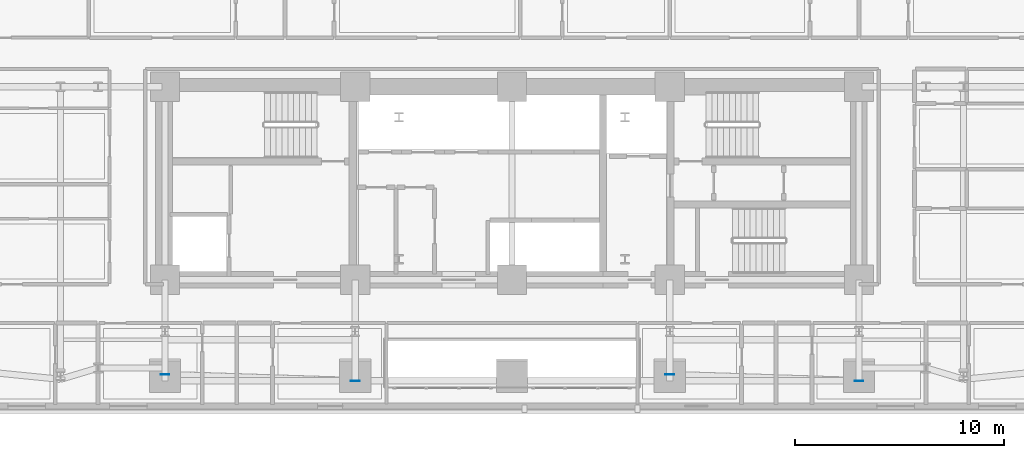
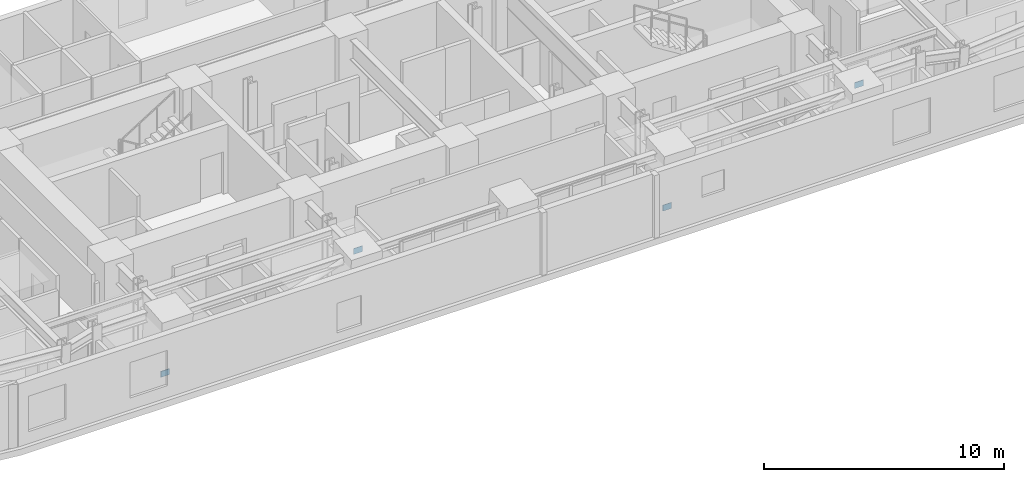
# One storey, part 6 of 16: 4 plates.
"""IFC4 building model written with IfcOpenShell, lengths in metres."""

from ifc_helpers import new_model, si_unit, direction, frame, origin, origin_2d, place, context, subcontext, project, spatial, rectangle, extrude, material, layer, layer_set, type_object, element, save


model = new_model("IFC4")

# Units and contexts
model_context = context("Model", 3, precision=1e-05, world=origin(), true_north=direction((0.0, 1.0)))
body_context = subcontext(model_context, "Body", "Model", "MODEL_VIEW")
ifc_project = project(units=[si_unit("LENGTHUNIT", "METRE"), si_unit("AREAUNIT", "SQUARE_METRE"), si_unit("VOLUMEUNIT", "CUBIC_METRE"), si_unit("PLANEANGLEUNIT", "RADIAN"), si_unit("MASSUNIT", "GRAM", prefix="KILO")], contexts=[model_context])

# Site, building, storey
site_placement = place(None, origin())
site = spatial("IfcSite", under=ifc_project, at=site_placement, CompositionType="ELEMENT")
building_placement = place(site_placement, origin())
building = spatial("IfcBuilding", under=site, at=building_placement, Name="Zarnavel Station Tower", CompositionType="ELEMENT")
storey_placement = place(building_placement, frame((0.0, 0.0, 32.5)))
storey = spatial("IfcBuildingStorey", under=building, at=storey_placement, Name="L08", CompositionType="ELEMENT", Elevation=32.5)

# Plates
ifc_material = material(Name="Steel S460M", Category="steel")
ifc_layer = layer(ifc_material, 0.02490234375)
ifc_layer_set = layer_set([ifc_layer], Name="GP_GUSSET_25")
plate_type = type_object("IfcPlateType", Name="GP_GUSSET_25", PredefinedType="USERDEFINED", material=ifc_layer_set)
for number, where, z_axis, x_axis, name in (
    (1, (12.199951171875, 23.28271484375, -0.14990234375), (0.0, 0.0, 1.0), (1.0, 0.0, 0.0), "L08 Exterior Diagonal Brace End Gusset 1-1"),
    (2, (21.300048828125, 22.9892578125, 3.08984375), (0.0, 0.0, 1.0), (1.0, 0.0, 0.0), "L08 Exterior Diagonal Brace End Gusset 1-2"),
    (3, (36.35009765625, 23.28271484375, -0.14990234375), (0.0, 0.0, 1.0), (1.0, 0.0, 0.0), "L08 Exterior Diagonal Brace End Gusset 2-1"),
    (4, (45.39990234375, 22.9892578125, 3.08984375), (0.0, 0.0, 1.0), (1.0, 0.0, 0.0), "L08 Exterior Diagonal Brace End Gusset 2-2"),
):
    element("IfcPlate", number, at=place(storey_placement, frame(where, z_axis=z_axis, x_axis=x_axis)), inside=storey, type_object=plate_type, Name=name, ObjectType="GUSSET_PLATE", PredefinedType="USERDEFINED", context=body_context, shape_type="SweptSolid", body=[
        extrude(rectangle(XDim=0.419921875, YDim=0.02490234375, at=origin_2d()), origin(), (0.0, 0.0, 1.0), 0.300048828125),
    ])

save(model, "model.ifc")
